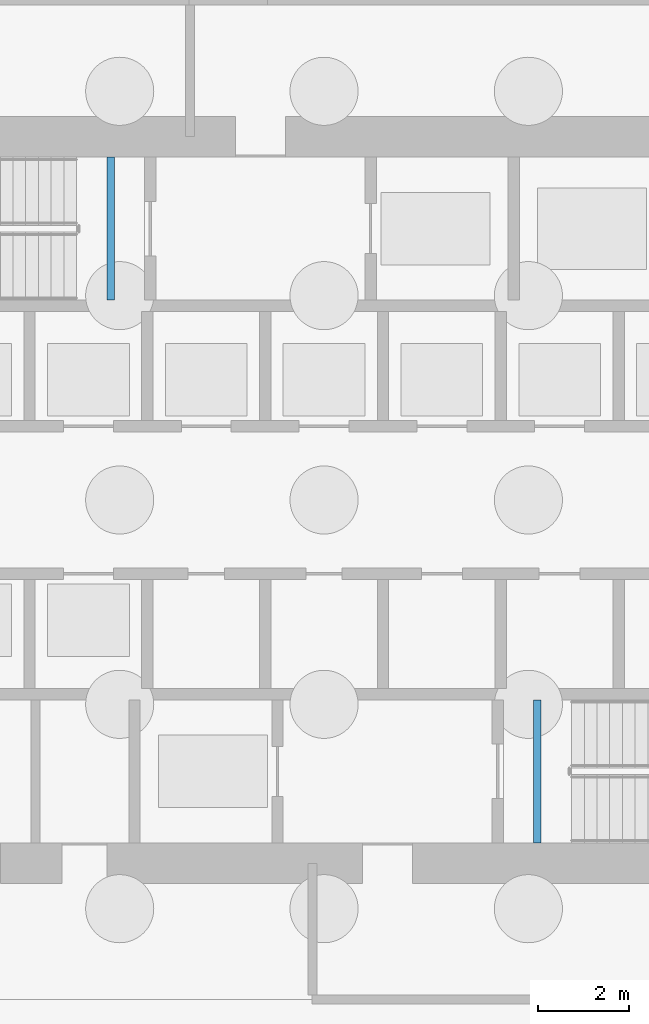
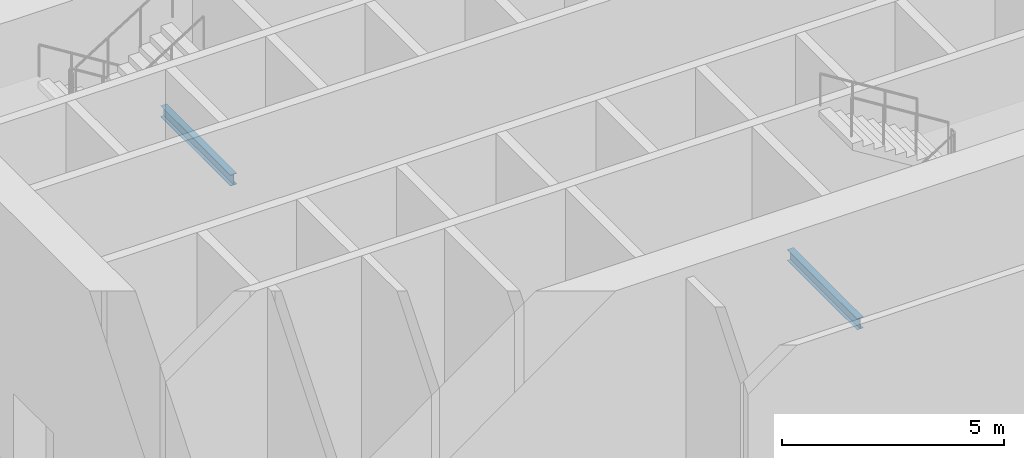
# One storey, part 9 of 41: 2 beams.
"""IFC4 building model written with IfcOpenShell, lengths in metres."""

from ifc_helpers import new_model, si_unit, direction, frame, origin, origin_2d, place, context, subcontext, project, spatial, i_section, extrude, material, material_profile, profile_set, type_object, element, save


model = new_model("IFC4")

# Units and contexts
model_context = context("Model", 3, precision=1e-05, world=origin(), true_north=direction((0.0, 1.0)))
body_context = subcontext(model_context, "Body", "Model", "MODEL_VIEW")
ifc_project = project(units=[si_unit("LENGTHUNIT", "METRE"), si_unit("AREAUNIT", "SQUARE_METRE"), si_unit("VOLUMEUNIT", "CUBIC_METRE"), si_unit("PLANEANGLEUNIT", "RADIAN"), si_unit("MASSUNIT", "GRAM", prefix="KILO")], contexts=[model_context])

# Site, building, storey
site_placement = place(None, origin())
site = spatial("IfcSite", under=ifc_project, at=site_placement, CompositionType="ELEMENT")
building_placement = place(site_placement, origin())
building = spatial("IfcBuilding", under=site, at=building_placement, Name="Rimbun Link Towers", CompositionType="ELEMENT")
storey_placement = place(building_placement, origin())
storey = spatial("IfcBuildingStorey", under=building, at=storey_placement, Name="L00", CompositionType="ELEMENT", Elevation=0.0)

# Beams
ifc_material = material(Name="Steel S355J2", Category="steel")
ifc_material_profile = material_profile(ifc_material, i_section(OverallWidth=0.1650390625, OverallDepth=0.303466796875, WebThickness=0.006103515625, FlangeThickness=0.01025390625, at=origin_2d()), Name="UB 305x165x40")
ifc_profile_set = profile_set([ifc_material_profile], Name="Steel S355J2")
beam_type = type_object("IfcBeamType", Name="Stair landing beam UB 305x165x40", PredefinedType="BEAM", material=ifc_profile_set)
for number, where, z_axis, x_axis, name in (
    (1, (-36.449951171875, 7.550048828125, 3.148193359375), (0.0, -1.0, 0.0), (1.0, 0.0, 0.0), "L00 ST1 stair beam 1"),
    (2, (-27.050048828125, -7.550048828125, 3.148193359375), (0.0, 1.0, 0.0), (-1.0, 0.0, 0.0), "L00 ST2 stair beam 1"),
):
    element("IfcBeam", number, at=place(storey_placement, frame(where, z_axis=z_axis, x_axis=x_axis)), inside=storey, type_object=beam_type, Name=name, PredefinedType="BEAM", context=body_context, shape_type="SweptSolid", body=[
        extrude(i_section(OverallWidth=0.1650390625, OverallDepth=0.303466796875, WebThickness=0.006103515625, FlangeThickness=0.01025390625, at=origin_2d()), origin(), (0.0, 0.0, 1.0), 3.150146484375),
    ])

save(model, "model.ifc")
